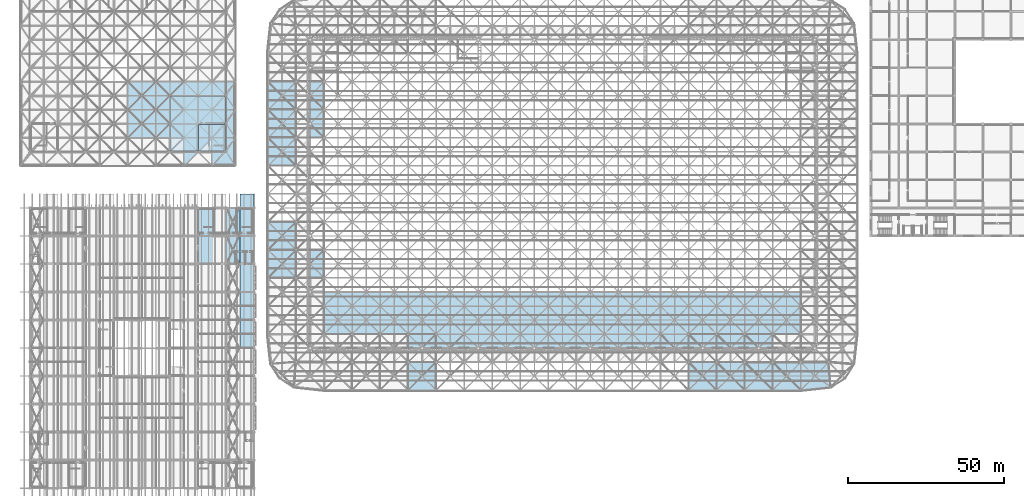
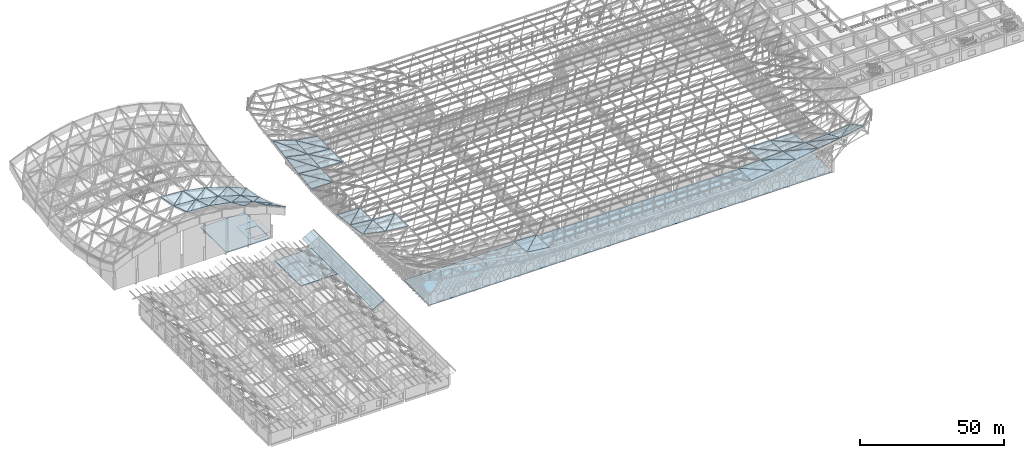
# One storey, part 241 of 437: 56 slabs.
"""IFC4 building model written with IfcOpenShell, lengths in metres."""

from ifc_helpers import new_model, si_unit, direction, frame, origin, place, context, subcontext, project, spatial, polyline, outline, extrude, material, layer, layer_set, type_object, element, save


model = new_model("IFC4")

# Units and contexts
model_context = context("Model", 3, precision=1e-05, world=origin(), true_north=direction((0.0, 1.0)))
body_context = subcontext(model_context, "Body", "Model", "MODEL_VIEW")
ifc_project = project(units=[si_unit("LENGTHUNIT", "METRE"), si_unit("AREAUNIT", "SQUARE_METRE"), si_unit("VOLUMEUNIT", "CUBIC_METRE"), si_unit("PLANEANGLEUNIT", "RADIAN"), si_unit("MASSUNIT", "GRAM", prefix="KILO")], contexts=[model_context])

# Site, building, storey
site_placement = place(None, origin())
site = spatial("IfcSite", under=ifc_project, at=site_placement, CompositionType="ELEMENT")
building_placement = place(site_placement, origin())
building = spatial("IfcBuilding", under=site, at=building_placement, Name="Opaline Strait Convention Centre", CompositionType="ELEMENT")
storey_placement = place(building_placement, frame((0.0, 0.0, 11.5)))
storey = spatial("IfcBuildingStorey", under=building, at=storey_placement, Name="L02", CompositionType="ELEMENT", Elevation=11.5)

# Slabs
ifc_material_1 = material(Name="Concrete C35", Category="concrete")
ifc_layer_1 = layer(ifc_material_1, 0.25)
ifc_layer_set_1 = layer_set([ifc_layer_1], Name="Concrete C35")
slab_type_1 = type_object("IfcSlabType", Name="Core roof slab 250", PredefinedType="ROOF", material=ifc_layer_set_1)
slab_1_placement = place(storey_placement, frame((0.0, 0.0, 2.25)))
element("IfcSlab", 1, at=slab_1_placement, inside=storey, type_object=slab_type_1, Name="PFS10 SE core roof slab", PredefinedType="ROOF", context=body_context, shape_type="SweptSolid", body=[
    extrude(outline(polyline([(71.800048828125, 117.39990234375), (71.60009765625, 117.39990234375), (71.60009765625, 117.25), (63.39990234375, 117.25), (63.39990234375, 117.39990234375), (63.14990234375, 117.39990234375), (63.14990234375, 125.85009765625), (71.60009765625, 125.85009765625), (71.60009765625, 125.60009765625), (71.800048828125, 125.60009765625), (71.800048828125, 117.39990234375)])), origin(), (0.0, 0.0, 1.0), 0.25),
])
ifc_layer_2 = layer(ifc_material_1, 0.280029296875)
ifc_layer_set_2 = layer_set([ifc_layer_2], Name="Concrete C35")
slab_type_2 = type_object("IfcSlabType", Name="Floor slab 280 C35", PredefinedType="FLOOR", material=ifc_layer_set_2)
slab_2_placement = place(storey_placement, frame((0.0, 0.0, -0.280029296875)))
element("IfcSlab", 2, at=slab_2_placement, inside=storey, type_object=slab_type_2, Name="PFS2 L02 wing e l02 slab", PredefinedType="FLOOR", context=body_context, shape_type="SweptSolid", body=[
    extrude(outline(polyline([(63.39990234375, 117.25), (63.39990234375, 117.39990234375), (62.60009765625, 117.39990234375), (62.60009765625, 117.25), (54.39990234375, 117.25), (54.39990234375, 117.39990234375), (54.0, 117.39990234375), (54.0, 135.0), (71.60009765625, 135.0), (71.60009765625, 134.60009765625), (71.800048828125, 134.60009765625), (71.800048828125, 126.39990234375), (71.60009765625, 126.39990234375), (71.60009765625, 125.85009765625), (66.64990234375, 125.85009765625), (66.64990234375, 119.05078125), (71.60009765625, 119.05078125), (71.60009765625, 125.60009765625), (71.800048828125, 125.60009765625), (71.800048828125, 117.39990234375), (71.60009765625, 117.39990234375), (71.60009765625, 117.25), (63.39990234375, 117.25)])), origin(), (0.0, 0.0, 1.0), 0.280029296875),
])
ifc_material_2 = material(Name="Steel Q235-B insulated roof panel", Category="steel")
ifc_layer_3 = layer(ifc_material_2, 0.1201171875)
ifc_layer_set_3 = layer_set([ifc_layer_3], Name="Steel Q235-B insulated roof panel")
slab_type_3 = type_object("IfcSlabType", Name="Insulated roof panel 120 steel Q235B facings", PredefinedType="ROOF", material=ifc_layer_set_3)
slab_3_placement = place(storey_placement, frame((130.5, 40.5, 19.842529296875), z_axis=(0.119898015001, 0.020651645521, 0.992571395687), x_axis=(0.992783124532, 0.0, -0.119923590862)))
element("IfcSlab", 3, at=slab_3_placement, inside=storey, type_object=slab_type_3, Name="EXB-RF-D-5-0a", PredefinedType="ROOF", context=body_context, shape_type="SweptSolid", body=[
    extrude(outline(polyline([(0.0, 0.0), (9.065424036338399, 3.469446951953614e-18), (9.087880431404612, 9.001919821193194), (0.0, 0.0)])), origin(), (0.0, 0.0, -1.0), 0.1201171875),
])
slab_4_placement = place(storey_placement, frame((130.5, 40.5, 19.841552734375), z_axis=(0.037153597313, 0.103587896138, 0.99392613306), x_axis=(0.703588662414, 0.703588662414, -0.099629253955)))
element("IfcSlab", 4, at=slab_4_placement, inside=storey, type_object=slab_type_3, Name="EXB-RF-D-5-0b", PredefinedType="ROOF", context=body_context, shape_type="SweptSolid", body=[
    extrude(outline(polyline([(0.0, 0.0), (12.791564845737122, 5.551115123125783e-16), (6.425749034409765, 6.370994534807285), (0.0, 0.0)])), origin(), (0.0, 0.0, -1.0), 0.1201171875),
])
slab_5_placement = place(storey_placement, frame((229.5, 40.5, 19.841552734375), z_axis=(-0.037153597313, 0.103587896138, 0.99392613306), x_axis=(0.0, 0.994612846836, -0.103659466079)))
element("IfcSlab", 5, at=slab_5_placement, inside=storey, type_object=slab_type_3, Name="EXB-RF-D-15-0a", PredefinedType="ROOF", context=body_context, shape_type="SweptSolid", body=[
    extrude(outline(polyline([(0.0, 0.0), (9.048746985951277, 0.0), (9.083620702810949, 9.006218192458034), (0.0, 0.0)])), origin(), (0.0, 0.0, -1.0), 0.1201171875),
])
slab_6_placement = place(storey_placement, frame((220.5, 40.5, 18.75537109375), z_axis=(-0.119898015001, 0.020651645521, 0.992571395687), x_axis=(0.992783124532, 0.0, 0.119923590862)))
element("IfcSlab", 6, at=slab_6_placement, inside=storey, type_object=slab_type_3, Name="EXB-RF-D-15-0b", PredefinedType="ROOF", context=body_context, shape_type="SweptSolid", body=[
    extrude(outline(polyline([(0.0, 0.0), (9.065424036338399, -3.469446951953614e-18), (-0.022456395066212373, 9.001919821193193), (0.0, 0.0)])), origin(), (0.0, 0.0, -1.0), 0.1201171875),
])
slab_7_placement = place(storey_placement, frame((238.5, 40.5, 21.37451171875), z_axis=(-0.052862387402, 0.214306975953, 0.975334859449), x_axis=(0.0, 0.976700475679, -0.214607038113)))
element("IfcSlab", 7, at=slab_7_placement, inside=storey, type_object=slab_type_3, Name="EXB-RF-D-16-0a", PredefinedType="ROOF", context=body_context, shape_type="SweptSolid", body=[
    extrude(outline(polyline([(0.0, 0.0), (9.21469808207048, 2.7755575615628914e-17), (9.319381886306335, 9.012601360400483), (0.0, 0.0)])), origin(), (0.0, 0.0, -1.0), 0.1201171875),
])
slab_8_placement = place(storey_placement, frame((229.5, 40.5, 19.8466796875), z_axis=(-0.166436376287, 0.102213644133, 0.980740181496), x_axis=(0.985903883041, 0.0, 0.16731268154)))
element("IfcSlab", 8, at=slab_8_placement, inside=storey, type_object=slab_type_3, Name="EXB-RF-D-16-0b", PredefinedType="ROOF", context=body_context, shape_type="SweptSolid", body=[
    extrude(outline(polyline([(0.0, 0.0), (9.128678925817473, 0.0), (-0.15693733458942283, 9.047385958870898), (0.0, 0.0)])), origin(), (0.0, 0.0, -1.0), 0.1201171875),
])
slab_9_placement = place(storey_placement, frame((247.5, 40.5, 22.968505859375), z_axis=(-0.053770150344, 0.32056860625, 0.945697911396), x_axis=(0.0, 0.947067997683, -0.321033032201)))
element("IfcSlab", 9, at=slab_9_placement, inside=storey, type_object=slab_type_3, Name="EXB-RF-D-17-0a", PredefinedType="ROOF", context=body_context, shape_type="SweptSolid", body=[
    extrude(outline(polyline([(0.0, 0.0), (9.503013534419045, 0.0), (9.66729215636556, 9.013038811270754), (0.0, 0.0)])), origin(), (0.0, 0.0, -1.0), 0.1201171875),
])
slab_10_placement = place(storey_placement, frame((238.5, 40.5, 21.379638671875), z_axis=(-0.169488923722, 0.21150212327, 0.962569663239), x_axis=(0.984849380901, 0.0, 0.173411928478)))
element("IfcSlab", 10, at=slab_10_placement, inside=storey, type_object=slab_type_3, Name="EXB-RF-D-17-0b", PredefinedType="ROOF", context=body_context, shape_type="SweptSolid", body=[
    extrude(outline(polyline([(0.0, 0.0), (9.138453223948666, 0.0), (-0.34292886246958093, 9.208314750213457), (0.0, 0.0)])), origin(), (0.0, 0.0, -1.0), 0.1201171875),
])
slab_11_placement = place(storey_placement, frame((256.5, 40.5, 24.3232421875), z_axis=(-0.044353761183, 0.402235032208, 0.914461438626), x_axis=(0.0, 0.915362257886, -0.402631266591)))
element("IfcSlab", 11, at=slab_11_placement, inside=storey, type_object=slab_type_3, Name="EXB-RF-D-18-0a", PredefinedType="ROOF", context=body_context, shape_type="SweptSolid", body=[
    extrude(outline(polyline([(0.0, 0.0), (9.832172915650917, -2.7755575615628914e-17), (10.00793090018841, 9.00886573561612), (0.0, 0.0)])), origin(), (0.0, 0.0, -1.0), 0.1201171875),
])
slab_12_placement = place(storey_placement, frame((247.5, 40.5, 22.971923828125), z_axis=(-0.140085666053, 0.317844633618, 0.937737060719), x_axis=(0.989025124117, 0.0, 0.147747432685)))
element("IfcSlab", 12, at=slab_12_placement, inside=storey, type_object=slab_type_3, Name="EXB-RF-D-18-0b", PredefinedType="ROOF", context=body_context, shape_type="SweptSolid", body=[
    extrude(outline(polyline([(0.0, 0.0), (9.099869943176708, -5.551115123125783e-17), (-0.45070902622156495, 9.4922409382272), (0.0, 0.0)])), origin(), (0.0, 0.0, -1.0), 0.1201171875),
])
slab_13_placement = place(storey_placement, frame((256.5, 40.5, 24.328125), z_axis=(-0.1306186589, 0.41014099982, 0.90262014503), x_axis=(0.98985877363, 0.105228590362, 0.095428255978)))
element("IfcSlab", 13, at=slab_13_placement, inside=storey, type_object=slab_type_3, Name="EXB-RF-D-19-0a", PredefinedType="ROOF", context=body_context, shape_type="SweptSolid", body=[
    extrude(outline(polyline([(0.0, 0.0), (9.765291800345947, 5.551115123125783e-17), (9.589817289048067, 8.82062259882417), (0.0, 0.0)])), origin(), (0.0, 0.0, -1.0), 0.1201171875),
])
slab_14_placement = place(storey_placement, frame((256.5, 40.5, 24.325927734375), z_axis=(-0.1183246559, 0.399823425729, 0.908922716211), x_axis=(0.690737254074, 0.690737254074, -0.213925434835)))
element("IfcSlab", 14, at=slab_14_placement, inside=storey, type_object=slab_type_3, Name="EXB-RF-D-19-0b", PredefinedType="ROOF", context=body_context, shape_type="SweptSolid", body=[
    extrude(outline(polyline([(0.0, 0.0), (13.029556386196234, 1.1102230246251565e-16), (7.063562740590652, 6.839564217933305), (0.0, 0.0)])), origin(), (0.0, 0.0, -1.0), 0.1201171875),
])
slab_15_placement = place(storey_placement, frame((238.5, 49.5, 19.39111328125), z_axis=(0.0, 0.098370391991, 0.995149871115), x_axis=(0.0, 0.995149871115, -0.098370391991)))
element("IfcSlab", 15, at=slab_15_placement, inside=storey, type_object=slab_type_3, Name="EXB-RF-D-16-1a", PredefinedType="ROOF", context=body_context, shape_type="SweptSolid", body=[
    extrude(outline(polyline([(0.0, 0.0), (9.043863905563052, 0.0), (9.043863905563052, 9.0), (0.0, 0.0)])), origin(), (0.0, 0.0, -1.0), 0.1201171875),
])
slab_16_placement = place(storey_placement, frame((229.5, 49.5, 18.902587890625), z_axis=(-0.05409305744, 0.044540856702, 0.997542005743), x_axis=(0.998532986248, 0.0, 0.054146794692)))
element("IfcSlab", 16, at=slab_16_placement, inside=storey, type_object=slab_type_3, Name="EXB-RF-D-16-1b", PredefinedType="ROOF", context=body_context, shape_type="SweptSolid", body=[
    extrude(outline(polyline([(0.0, 0.0), (9.013222521391954, -3.469446951953614e-18), (-0.021759185562079952, 9.008940800982542), (0.0, 0.0)])), origin(), (0.0, 0.0, -1.0), 0.1201171875),
])
slab_17_placement = place(storey_placement, frame((247.5, 49.5, 19.90478515625), z_axis=(0.0, 0.153853559361, 0.988093660678), x_axis=(0.0, 0.988093660678, -0.153853559361)))
element("IfcSlab", 17, at=slab_17_placement, inside=storey, type_object=slab_type_3, Name="EXB-RF-D-17-1a", PredefinedType="ROOF", context=body_context, shape_type="SweptSolid", body=[
    extrude(outline(polyline([(0.0, 0.0), (9.108448275870137, 0.0), (9.108448275870137, 9.0), (0.0, 0.0)])), origin(), (0.0, 0.0, -1.0), 0.1201171875),
])
slab_18_placement = place(storey_placement, frame((238.5, 49.5, 19.3916015625), z_axis=(-0.056491515248, 0.098213302273, 0.993560695661), x_axis=(0.998387513024, 0.0, 0.056765956687)))
element("IfcSlab", 18, at=slab_18_placement, inside=storey, type_object=slab_type_3, Name="EXB-RF-D-17-1b", PredefinedType="ROOF", context=body_context, shape_type="SweptSolid", body=[
    extrude(outline(polyline([(0.0, 0.0), (9.014535821610648, 0.0), (-0.0505017446694901, 9.043722901335022), (0.0, 0.0)])), origin(), (0.0, 0.0, -1.0), 0.1201171875),
])
slab_19_placement = place(storey_placement, frame((85.5, 76.5, 21.37646484375), z_axis=(0.214306975953, 0.052862387402, 0.975334859449), x_axis=(0.976700475679, 0.0, -0.214607038113)))
element("IfcSlab", 19, at=slab_19_placement, inside=storey, type_object=slab_type_3, Name="EXB-RF-D-0-4a", PredefinedType="ROOF", context=body_context, shape_type="SweptSolid", body=[
    extrude(outline(polyline([(0.0, 0.0), (9.21469808207048, 2.7755575615628914e-17), (9.319381886306335, 9.012601360400483), (0.0, 0.0)])), origin(), (0.0, 0.0, -1.0), 0.1201171875),
])
slab_20_placement = place(storey_placement, frame((85.5, 76.5, 21.373291015625), z_axis=(0.102213644133, 0.166436376287, 0.980740181496), x_axis=(0.694204223982, 0.694204223982, -0.190160434401)))
element("IfcSlab", 20, at=slab_20_placement, inside=storey, type_object=slab_type_3, Name="EXB-RF-D-0-4b", PredefinedType="ROOF", context=body_context, shape_type="SweptSolid", body=[
    extrude(outline(polyline([(0.0, 0.0), (12.964484641678096, 3.7470027081099033e-16), (6.538278366816178, 6.370533331573395), (0.0, 0.0)])), origin(), (0.0, 0.0, -1.0), 0.1201171875),
])
slab_21_placement = place(storey_placement, frame((94.5, 76.5, 19.3916015625), z_axis=(0.098397125827, 0.0, 0.995147228117), x_axis=(0.995147228117, 0.0, -0.098397125827)))
element("IfcSlab", 21, at=slab_21_placement, inside=storey, type_object=slab_type_3, Name="EXB-RF-D-1-4a", PredefinedType="ROOF", context=body_context, shape_type="SweptSolid", body=[
    extrude(outline(polyline([(0.0, 0.0), (9.043887925035445, 0.0), (9.043887925035445, 9.0), (0.0, 0.0)])), origin(), (0.0, 0.0, -1.0), 0.1201171875),
])
slab_22_placement = place(storey_placement, frame((94.5, 76.5, 19.390380859375), z_axis=(0.044540921883, 0.054066076502, 0.997543465544), x_axis=(0.705385748856, 0.705385748856, -0.069727258812)))
element("IfcSlab", 22, at=slab_22_placement, inside=storey, type_object=slab_type_3, Name="EXB-RF-D-1-4b", PredefinedType="ROOF", context=body_context, shape_type="SweptSolid", body=[
    extrude(outline(polyline([(0.0, 0.0), (12.758976226263071, -8.925152283900673e-16), (6.382484206283597, 6.364105383862086), (0.0, 0.0)])), origin(), (0.0, 0.0, -1.0), 0.1201171875),
])
slab_23_placement = place(storey_placement, frame((85.5, 85.5, 19.842041015625), z_axis=(0.103587896138, 0.037153597313, 0.99392613306), x_axis=(0.994612846836, 0.0, -0.103659466079)))
element("IfcSlab", 23, at=slab_23_placement, inside=storey, type_object=slab_type_3, Name="EXB-RF-D-0-5a", PredefinedType="ROOF", context=body_context, shape_type="SweptSolid", body=[
    extrude(outline(polyline([(0.0, 0.0), (9.048746985951277, 0.0), (9.083620702810949, 9.006218192458034), (0.0, 0.0)])), origin(), (0.0, 0.0, -1.0), 0.1201171875),
])
slab_24_placement = place(storey_placement, frame((85.5, 85.5, 19.842041015625), z_axis=(0.020651645521, 0.119898015001, 0.992571395687), x_axis=(0.703588662414, 0.703588662414, -0.099629253955)))
element("IfcSlab", 24, at=slab_24_placement, inside=storey, type_object=slab_type_3, Name="EXB-RF-D-0-5b", PredefinedType="ROOF", context=body_context, shape_type="SweptSolid", body=[
    extrude(outline(polyline([(0.0, 0.0), (12.791564845737122, -4.440892098500626e-16), (6.440610722438723, 6.3796901555349335), (0.0, 0.0)])), origin(), (0.0, 0.0, -1.0), 0.1201171875),
])
slab_25_placement = place(storey_placement, frame((94.5, 112.5, 18.567626953125), z_axis=(0.103587896138, -0.037153597313, 0.99392613306), x_axis=(0.0, 0.999302075118, 0.037354553481)))
element("IfcSlab", 25, at=slab_25_placement, inside=storey, type_object=slab_type_3, Name="EXB-RF-D-0-8a", PredefinedType="ROOF", context=body_context, shape_type="SweptSolid", body=[
    extrude(outline(polyline([(0.0, 0.0), (9.006285710896012, 0.0), (9.041323844312222, 9.04867914918907), (0.0, 0.0)])), origin(), (0.0, 0.0, -1.0), 0.1201171875),
])
slab_26_placement = place(storey_placement, frame((85.5, 112.5, 18.7548828125), z_axis=(0.020651645521, -0.119898015001, 0.992571395687), x_axis=(0.999783621134, 0.0, -0.020801704574)))
element("IfcSlab", 26, at=slab_26_placement, inside=storey, type_object=slab_type_3, Name="EXB-RF-D-0-8b", PredefinedType="ROOF", context=body_context, shape_type="SweptSolid", body=[
    extrude(outline(polyline([(0.0, 0.0), (9.00194783126798, 0.0), (-0.022614743766414126, 9.065395828753775), (0.0, 0.0)])), origin(), (0.0, 0.0, -1.0), 0.1201171875),
])
slab_27_placement = place(storey_placement, frame((94.5, 121.5, 18.9111328125), z_axis=(0.214306975953, -0.052862387402, 0.975334859449), x_axis=(0.0, 0.998534450404, 0.054119787107)))
element("IfcSlab", 27, at=slab_27_placement, inside=storey, type_object=slab_type_3, Name="EXB-RF-D-0-9a", PredefinedType="ROOF", context=body_context, shape_type="SweptSolid", body=[
    extrude(outline(polyline([(0.0, 0.0), (9.013209305256478, 1.3877787807814457e-17), (9.120233298314465, 9.214076546709567), (0.0, 0.0)])), origin(), (0.0, 0.0, -1.0), 0.1201171875),
])
slab_28_placement = place(storey_placement, frame((85.5, 121.5, 19.845947265625), z_axis=(0.102213644133, -0.166436376287, 0.980740181496), x_axis=(0.994612846836, 0.0, -0.103659466079)))
element("IfcSlab", 28, at=slab_28_placement, inside=storey, type_object=slab_type_3, Name="EXB-RF-D-0-9b", PredefinedType="ROOF", context=body_context, shape_type="SweptSolid", body=[
    extrude(outline(polyline([(0.0, 0.0), (9.048746985951277, 0.0), (-0.15832363764449095, 9.127305876129443), (0.0, 0.0)])), origin(), (0.0, 0.0, -1.0), 0.1201171875),
])
slab_29_placement = place(storey_placement, frame((103.5, 121.5, 18.501708984375), z_axis=(0.098397125827, 0.0, 0.995147228117), x_axis=(0.0, 1.0, 0.0)))
element("IfcSlab", 29, at=slab_29_placement, inside=storey, type_object=slab_type_3, Name="EXB-RF-D-1-9a", PredefinedType="ROOF", context=body_context, shape_type="SweptSolid", body=[
    extrude(outline(polyline([(0.0, 0.0), (9.0, 0.0), (9.0, 9.043887925035445), (0.0, 0.0)])), origin(), (0.0, 0.0, -1.0), 0.1201171875),
])
slab_30_placement = place(storey_placement, frame((94.5, 121.5, 18.902587890625), z_axis=(0.044540921883, -0.054066076502, 0.997543465544), x_axis=(0.999004649677, 0.0, -0.044606164642)))
element("IfcSlab", 30, at=slab_30_placement, inside=storey, type_object=slab_type_3, Name="EXB-RF-D-1-9b", PredefinedType="ROOF", context=body_context, shape_type="SweptSolid", body=[
    extrude(outline(polyline([(0.0, 0.0), (9.008967078292844, -3.469446951953614e-18), (-0.021758573475343487, 9.013183041791743), (0.0, 0.0)])), origin(), (0.0, 0.0, -1.0), 0.1201171875),
])
slab_31_placement = place(storey_placement, frame((94.5, 130.5, 19.410888671875), z_axis=(0.320545588551, -0.053770592525, 0.945705688383), x_axis=(0.0, 0.998387513024, 0.056765956687)))
element("IfcSlab", 31, at=slab_31_placement, inside=storey, type_object=slab_type_3, Name="EXB-RF-D-0-10a", PredefinedType="ROOF", context=body_context, shape_type="SweptSolid", body=[
    extrude(outline(polyline([(0.0, 0.0), (9.014535821610648, 0.0), (9.187702479032515, 9.501357269592136), (0.0, 0.0)])), origin(), (0.0, 0.0, -1.0), 0.1201171875),
])
slab_32_placement = place(storey_placement, frame((85.5, 130.5, 21.38037109375), z_axis=(0.21150212327, -0.169488923722, 0.962569663239), x_axis=(0.976700475679, 0.0, -0.214607038113)))
element("IfcSlab", 32, at=slab_32_placement, inside=storey, type_object=slab_type_3, Name="EXB-RF-D-0-10b", PredefinedType="ROOF", context=body_context, shape_type="SweptSolid", body=[
    extrude(outline(polyline([(0.0, 0.0), (9.21469808207048, -5.551115123125783e-17), (-0.34009137802549005, 9.132122709473986), (0.0, 0.0)])), origin(), (0.0, 0.0, -1.0), 0.1201171875),
])
slab_33_placement = place(storey_placement, frame((103.5, 130.5, 18.50439453125), z_axis=(0.153879728486, 0.0, 0.988089585595), x_axis=(0.0, 1.0, 0.0)))
element("IfcSlab", 33, at=slab_33_placement, inside=storey, type_object=slab_type_3, Name="EXB-RF-D-1-10a", PredefinedType="ROOF", context=body_context, shape_type="SweptSolid", body=[
    extrude(outline(polyline([(0.0, 0.0), (9.0, 0.0), (9.0, 9.108485840968756), (0.0, 0.0)])), origin(), (0.0, 0.0, -1.0), 0.1201171875),
])
slab_34_placement = place(storey_placement, frame((94.5, 130.5, 19.39208984375), z_axis=(0.09823999425, -0.056491365692, 0.993558065305), x_axis=(0.995147228117, 0.0, -0.098397125827)))
element("IfcSlab", 34, at=slab_34_placement, inside=storey, type_object=slab_type_3, Name="EXB-RF-D-1-10b", PredefinedType="ROOF", context=body_context, shape_type="SweptSolid", body=[
    extrude(outline(polyline([(0.0, 0.0), (9.043887925035445, -6.938893903907228e-18), (-0.05035165423178522, 9.014395198238075), (0.0, 0.0)])), origin(), (0.0, 0.0, -1.0), 0.1201171875),
])
ifc_layer_4 = layer(ifc_material_1, 0.25)
ifc_layer_set_4 = layer_set([ifc_layer_4], Name="Concrete C35")
slab_type_4 = type_object("IfcSlabType", Name="RC core roof slab 250 C35", PredefinedType="ROOF", material=ifc_layer_set_4)
slab_35_placement = place(storey_placement, frame((0.0, 0.0, 4.300048828125)))
element("IfcSlab", 35, at=slab_35_placement, inside=storey, type_object=slab_type_4, Name="RS3 core roof slab NE", PredefinedType="ROOF", context=body_context, shape_type="SweptSolid", body=[
    extrude(outline(polyline([(81.0, 81.39990234375), (80.60009765625, 81.39990234375), (80.60009765625, 81.0), (72.39990234375, 81.0), (72.39990234375, 81.39990234375), (71.60009765625, 81.39990234375), (71.60009765625, 81.0), (63.39990234375, 81.0), (63.39990234375, 81.39990234375), (63.0, 81.39990234375), (63.0, 89.60009765625), (63.39990234375, 89.60009765625), (63.39990234375, 90.39990234375), (63.0, 90.39990234375), (63.0, 98.60009765625), (63.39990234375, 98.60009765625), (63.39990234375, 99.0), (71.60009765625, 99.0), (71.60009765625, 98.60009765625), (72.39990234375, 98.60009765625), (72.39990234375, 99.0), (80.60009765625, 99.0), (80.60009765625, 98.60009765625), (81.0, 98.60009765625), (81.0, 90.39990234375), (80.60009765625, 90.39990234375), (80.60009765625, 89.60009765625), (81.0, 89.60009765625), (81.0, 81.39990234375)]), holes=[polyline([(71.60009765625, 90.39990234375), (71.60009765625, 89.60009765625), (72.39990234375, 89.60009765625), (72.39990234375, 90.39990234375), (71.60009765625, 90.39990234375)])]), origin(), (0.0, 0.0, 1.0), 0.25),
])
ifc_layer_5 = layer(ifc_material_1, 0.25)
ifc_layer_set_5 = layer_set([ifc_layer_5], Name="Concrete C35")
slab_type_5 = type_object("IfcSlabType", Name="RC roof slab 250 C35", PredefinedType="ROOF", material=ifc_layer_set_5)
slab_36_placement = place(storey_placement, frame((0.0, 0.0, -0.25)))
element("IfcSlab", 36, at=slab_36_placement, inside=storey, type_object=slab_type_5, Name="Strip roof slab", PredefinedType="ROOF", context=body_context, shape_type="SweptSolid", body=[
    extrude(outline(polyline([(99.199951171875, 54.199951171875), (99.199951171875, 71.800048828125), (260.800048828125, 71.800048828125), (260.800048828125, 54.199951171875), (99.199951171875, 54.199951171875)])), origin(), (0.0, 0.0, 1.0), 0.25),
])
ifc_material_3 = material(Name="Concrete C30", Category="concrete")
ifc_layer_6 = layer(ifc_material_3, 0.14990234375)
ifc_layer_set_6 = layer_set([ifc_layer_6], Name="Concrete C30")
slab_type_6 = type_object("IfcSlabType", Name="Roof deck 150 C30", PredefinedType="ROOF", material=ifc_layer_set_6)
slab_37_placement = place(storey_placement, frame((76.5, 54.0, 6.25), z_axis=(-0.485642931179, 0.0, 0.874157276122), x_axis=(0.874157276122, 0.0, 0.485642931179)))
element("IfcSlab", 37, at=slab_37_placement, inside=storey, type_object=slab_type_6, Name="RS4 roof deck facet 16 north pour", PredefinedType="ROOF", context=body_context, shape_type="SweptSolid", body=[
    extrude(outline(polyline([(0.0, 0.0), (5.1478150704935, 0.0), (5.1478150704935, 49.5), (0.0, 49.5), (0.0, 0.0)])), origin(), (0.0, 0.0, -1.0), 0.14990234375),
])
ifc_material_4 = material(Name="Steel Q235-B profiled roof deck with insulation and membrane", Category="steel")
ifc_layer_7 = layer(ifc_material_4, 0.199951171875)
ifc_layer_set_7 = layer_set([ifc_layer_7], Name="Steel Q235-B profiled roof deck with insulation and membrane")
slab_type_7 = type_object("IfcSlabType", Name="Shell roof deck panel 200", PredefinedType="ROOF", material=ifc_layer_set_7)
slab_38_placement = place(storey_placement, frame((40.546142578125, 121.523193359375, 19.3427734375), z_axis=(0.060391192332, 0.302033986457, 0.951382349486), x_axis=(0.997991383615, 0.0, -0.063349808441)))
element("IfcSlab", 38, at=slab_38_placement, inside=storey, type_object=slab_type_7, Name="PRD1 roof deck 5-2a", PredefinedType="ROOF", context=body_context, shape_type="SweptSolid", body=[
    extrude(outline(polyline([(0.0, 0.0), (8.94863844429923, 0.0), (9.128248142888092, 9.368184924969595), (0.0, 0.0)])), origin(), (0.0, 0.0, -1.0), 0.199951171875),
])
slab_39_placement = place(storey_placement, frame((40.523193359375, 121.546142578125, 19.3369140625), z_axis=(0.060391192332, 0.302033986457, 0.951382349486), x_axis=(0.682769682417, 0.682769682417, -0.260098292085)))
element("IfcSlab", 39, at=slab_39_placement, inside=storey, type_object=slab_type_7, Name="PRD1 roof deck 5-2b", PredefinedType="ROOF", context=body_context, shape_type="SweptSolid", body=[
    extrude(outline(polyline([(0.0, 0.0), (13.080053629346004, 0.0), (6.8350186642534565, 6.40918624253982), (0.0, 0.0)])), origin(), (0.0, 0.0, -1.0), 0.199951171875),
])
slab_40_placement = place(storey_placement, frame((40.546142578125, 130.523193359375, 16.482421875), z_axis=(0.062262223877, 0.186733066618, 0.980435707892), x_axis=(0.997989658383, 0.0, -0.063376981313)))
element("IfcSlab", 40, at=slab_40_placement, inside=storey, type_object=slab_type_7, Name="PRD1 roof deck 5-3a", PredefinedType="ROOF", context=body_context, shape_type="SweptSolid", body=[
    extrude(outline(polyline([(0.0, 0.0), (8.948653913878061, 0.0), (9.056453579114052, 9.090560763064625), (0.0, 0.0)])), origin(), (0.0, 0.0, -1.0), 0.199951171875),
])
slab_41_placement = place(storey_placement, frame((40.523193359375, 130.546142578125, 16.4794921875), z_axis=(0.06226191224, 0.186758934348, 0.98043080058), x_axis=(0.695971316144, 0.695971316144, -0.176770625979)))
element("IfcSlab", 41, at=slab_41_placement, inside=storey, type_object=slab_type_7, Name="PRD1 roof deck 5-3b", PredefinedType="ROOF", context=body_context, shape_type="SweptSolid", body=[
    extrude(outline(polyline([(0.0, 0.0), (12.831942718525609, 3.3306690738754696e-16), (6.5162032388612525, 6.339545858764187), (0.0, 0.0)])), origin(), (0.0, 0.0, -1.0), 0.199951171875),
])
slab_42_placement = place(storey_placement, frame((49.546142578125, 121.523193359375, 18.7685546875), z_axis=(0.178638013595, 0.297695840107, 0.937798297547), x_axis=(0.982336685972, 0.0, -0.187121979985)))
element("IfcSlab", 42, at=slab_42_placement, inside=storey, type_object=slab_type_7, Name="PRD1 roof deck 6-2a", PredefinedType="ROOF", context=body_context, shape_type="SweptSolid", body=[
    extrude(outline(polyline([(0.0, 0.0), (9.091245588230473, -5.551115123125783e-17), (9.621729092035734, 9.35480365195178), (0.0, 0.0)])), origin(), (0.0, 0.0, -1.0), 0.199951171875),
])
slab_43_placement = place(storey_placement, frame((49.523193359375, 121.546142578125, 18.765625), z_axis=(0.178611831392, 0.297720568101, 0.937795434525), x_axis=(0.665486006069, 0.665486006069, -0.338018862569)))
element("IfcSlab", 43, at=slab_43_placement, inside=storey, type_object=slab_type_7, Name="PRD1 roof deck 6-2b", PredefinedType="ROOF", context=body_context, shape_type="SweptSolid", body=[
    extrude(outline(polyline([(0.0, 0.0), (13.419762370738804, -7.216449660063518e-16), (6.901584754155339, 6.337450300670245), (0.0, 0.0)])), origin(), (0.0, 0.0, -1.0), 0.199951171875),
])
slab_44_placement = place(storey_placement, frame((49.546142578125, 130.523193359375, 15.908203125), z_axis=(0.183930464301, 0.183904067851, 0.965582144682), x_axis=(0.982336685972, 0.0, -0.187121979985)))
element("IfcSlab", 44, at=slab_44_placement, inside=storey, type_object=slab_type_7, Name="PRD1 roof deck 6-3a", PredefinedType="ROOF", context=body_context, shape_type="SweptSolid", body=[
    extrude(outline(polyline([(0.0, 0.0), (9.091245588230473, 0.0), (9.409526553698202, 9.085626724767863), (0.0, 0.0)])), origin(), (0.0, 0.0, -1.0), 0.199951171875),
])
slab_45_placement = place(storey_placement, frame((49.523193359375, 130.546142578125, 15.908203125), z_axis=(0.183904067851, 0.183930464301, 0.965582144682), x_axis=(0.682769682417, 0.682769682417, -0.260098292085)))
element("IfcSlab", 45, at=slab_45_placement, inside=storey, type_object=slab_type_7, Name="PRD1 roof deck 6-3b", PredefinedType="ROOF", context=body_context, shape_type="SweptSolid", body=[
    extrude(outline(polyline([(0.0, 0.0), (13.080053629346004, 2.2616457318047622e-16), (6.540058564952798, 6.314933120192769), (0.0, 0.0)])), origin(), (0.0, 0.0, -1.0), 0.199951171875),
])
slab_46_placement = place(storey_placement, frame((58.523193359375, 112.546142578125, 21.05712890625), z_axis=(0.278618162966, 0.390060629769, 0.87762442102), x_axis=(0.622509993124, 0.622509993124, -0.474302242164)))
element("IfcSlab", 46, at=slab_46_placement, inside=storey, type_object=slab_type_7, Name="PRD1 roof deck 7-1b", PredefinedType="ROOF", context=body_context, shape_type="SweptSolid", body=[
    extrude(outline(polyline([(0.0, 0.0), (14.346217990306734, 1.0547118733938987e-15), (7.442046240618633, 6.334631866419986), (0.0, 0.0)])), origin(), (0.0, 0.0, -1.0), 0.199951171875),
])
slab_47_placement = place(storey_placement, frame((58.546142578125, 121.523193359375, 17.054443359375), z_axis=(0.289618114012, 0.289618114012, 0.912273366964), x_axis=(0.953122000875, 0.0, -0.302586271082)))
element("IfcSlab", 47, at=slab_47_placement, inside=storey, type_object=slab_type_7, Name="PRD1 roof deck 7-2a", PredefinedType="ROOF", context=body_context, shape_type="SweptSolid", body=[
    extrude(outline(polyline([(0.0, 0.0), (9.369906532738456, -2.220446049250313e-16), (10.227800665080082, 9.330550149372147), (0.0, 0.0)])), origin(), (0.0, 0.0, -1.0), 0.199951171875),
])
slab_48_placement = place(storey_placement, frame((58.523193359375, 121.546142578125, 17.054443359375), z_axis=(0.289618114012, 0.289618114012, 0.912273366964), x_axis=(0.645074684076, 0.645074684076, -0.409581864745)))
element("IfcSlab", 48, at=slab_48_placement, inside=storey, type_object=slab_type_7, Name="PRD1 roof deck 7-2b", PredefinedType="ROOF", context=body_context, shape_type="SweptSolid", body=[
    extrude(outline(polyline([(0.0, 0.0), (13.844387763081514, 0.0), (6.922193881540757, 6.314933119092752), (0.0, 0.0)])), origin(), (0.0, 0.0, -1.0), 0.199951171875),
])
slab_49_placement = place(storey_placement, frame((58.546142578125, 130.523193359375, 14.194091796875), z_axis=(0.297695840107, 0.178638013595, 0.937798297547), x_axis=(0.953129515183, 0.0, -0.30256260061)))
element("IfcSlab", 49, at=slab_49_placement, inside=storey, type_object=slab_type_7, Name="PRD1 roof deck 7-3a", PredefinedType="ROOF", context=body_context, shape_type="SweptSolid", body=[
    extrude(outline(polyline([(0.0, 0.0), (9.36983266202657, 0.0), (9.884543648610565, 9.076663425830539), (0.0, 0.0)])), origin(), (0.0, 0.0, -1.0), 0.199951171875),
])
slab_50_placement = place(storey_placement, frame((58.523193359375, 130.546142578125, 14.197021484375), z_axis=(0.297720568101, 0.178611831392, 0.937795434525), x_axis=(0.665486006069, 0.665486006069, -0.338018862569)))
element("IfcSlab", 50, at=slab_50_placement, inside=storey, type_object=slab_type_7, Name="PRD1 roof deck 7-3b", PredefinedType="ROOF", context=body_context, shape_type="SweptSolid", body=[
    extrude(outline(polyline([(0.0, 0.0), (13.419762370738804, 7.216449660063518e-16), (6.518177616583465, 6.337450300670245), (0.0, 0.0)])), origin(), (0.0, 0.0, -1.0), 0.199951171875),
])
slab_51_placement = place(storey_placement, frame((67.53857421875, 112.523193359375, 18.20849609375), z_axis=(0.368575143071, 0.377530405991, 0.849484053095), x_axis=(0.917372173394, 0.0, -0.398030520792)))
element("IfcSlab", 51, at=slab_51_placement, inside=storey, type_object=slab_type_7, Name="PRD1 roof deck 8-1a", PredefinedType="ROOF", context=body_context, shape_type="SweptSolid", body=[
    extrude(outline(polyline([(0.0, 0.0), (8.112453034563291, 0.0), (9.6922338393777, 9.644374925016372), (0.0, 0.0)])), origin(), (0.0, 0.0, -1.0), 0.199951171875),
])
slab_52_placement = place(storey_placement, frame((67.519287109375, 112.546142578125, 18.20654296875), z_axis=(0.368571911623, 0.377550318462, 0.849476605323), x_axis=(0.544285836467, 0.653150145916, -0.526448302411)))
element("IfcSlab", 52, at=slab_52_placement, inside=storey, type_object=slab_type_7, Name="PRD1 roof deck 8-1b", PredefinedType="ROOF", context=body_context, shape_type="SweptSolid", body=[
    extrude(outline(polyline([(0.0, 0.0), (13.673217587625498, -1.6653345369377348e-16), (7.922663290577763, 5.722151650795443), (0.0, 0.0)])), origin(), (0.0, 0.0, -1.0), 0.199951171875),
])
slab_53_placement = place(storey_placement, frame((67.53857421875, 121.523193359375, 14.202880859375), z_axis=(0.382128749771, 0.279622724987, 0.880788709208), x_axis=(0.917383161964, 0.0, -0.398005193615)))
element("IfcSlab", 53, at=slab_53_placement, inside=storey, type_object=slab_type_7, Name="PRD1 roof deck 8-2a", PredefinedType="ROOF", context=body_context, shape_type="SweptSolid", body=[
    extrude(outline(polyline([(0.0, 0.0), (8.112355862234853, -1.1102230246251565e-16), (9.240782208293076, 9.301709650046947), (0.0, 0.0)])), origin(), (0.0, 0.0, -1.0), 0.199951171875),
])
slab_54_placement = place(storey_placement, frame((67.519287109375, 121.546142578125, 14.2041015625), z_axis=(0.382153424554, 0.279619637498, 0.88077898387), x_axis=(0.567595017527, 0.681121469053, -0.462503449147)))
element("IfcSlab", 54, at=slab_54_placement, inside=storey, type_object=slab_type_7, Name="PRD1 roof deck 8-2b", PredefinedType="ROOF", context=body_context, shape_type="SweptSolid", body=[
    extrude(outline(polyline([(0.0, 0.0), (13.111705427396577, -2.220446049250313e-16), (7.394159153542726, 5.755133260345505), (0.0, 0.0)])), origin(), (0.0, 0.0, -1.0), 0.199951171875),
])
slab_55_placement = place(storey_placement, frame((67.53857421875, 130.523193359375, 11.343017578125), z_axis=(0.3920639263, 0.17214061533, 0.90368882158), x_axis=(0.917383161964, 0.0, -0.398005193615)))
element("IfcSlab", 55, at=slab_55_placement, inside=storey, type_object=slab_type_7, Name="PRD1 roof deck 8-3a", PredefinedType="ROOF", context=body_context, shape_type="SweptSolid", body=[
    extrude(outline(polyline([(0.0, 0.0), (8.112355862234853, 0.0), (8.789431103717133, 9.065997764333042), (0.0, 0.0)])), origin(), (0.0, 0.0, -1.0), 0.199951171875),
])
slab_56_placement = place(storey_placement, frame((67.519287109375, 130.546142578125, 11.346923828125), z_axis=(0.392090681836, 0.172114642209, 0.903682160472), x_axis=(0.589373193853, 0.707255566418, -0.390421313633)))
element("IfcSlab", 56, at=slab_56_placement, inside=storey, type_object=slab_type_7, Name="PRD1 roof deck 8-3b", PredefinedType="ROOF", context=body_context, shape_type="SweptSolid", body=[
    extrude(outline(polyline([(0.0, 0.0), (12.62720929540181, -2.220446049250313e-16), (6.980340310462569, 5.824496965826868), (0.0, 0.0)])), origin(), (0.0, 0.0, -1.0), 0.199951171875),
])

save(model, "model.ifc")
